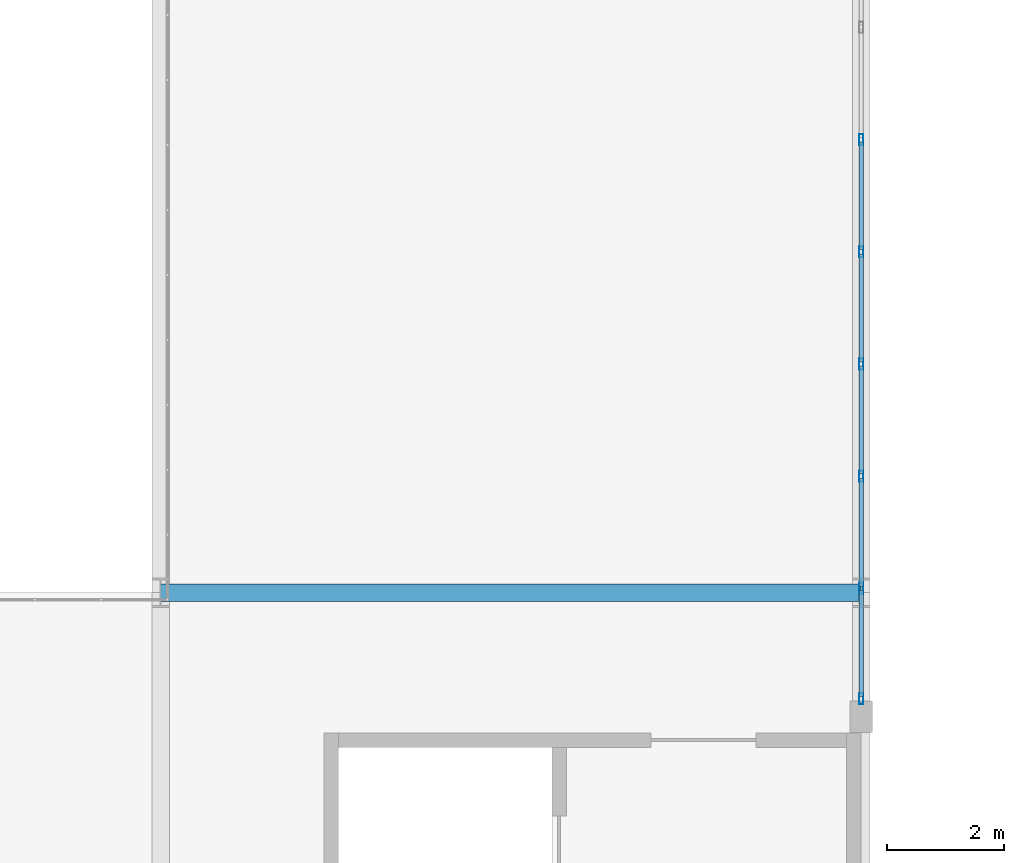
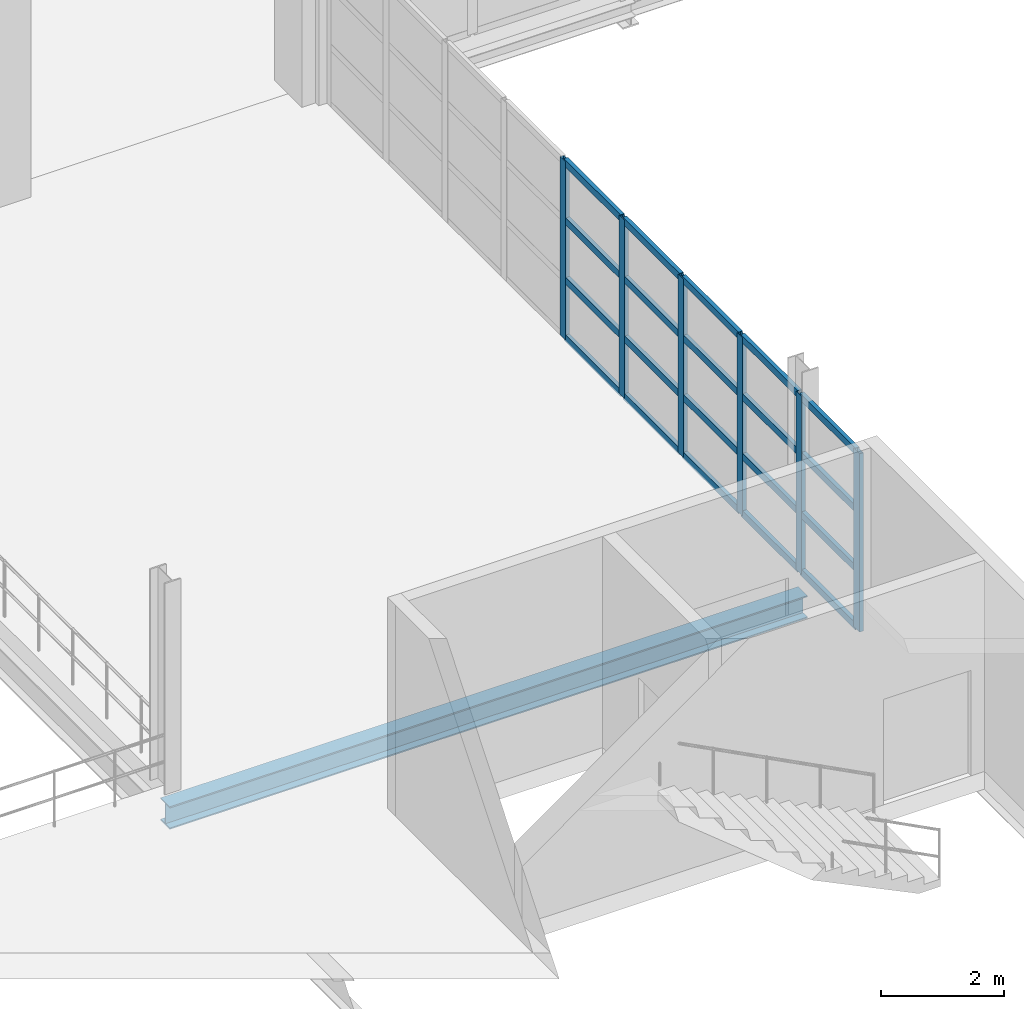
# One storey, part 56 of 158: 26 members, 1 beam, 1 element without a shape of its own.
"""IFC4 building model written with IfcOpenShell, lengths in metres."""

import ifcopenshell
import ifcopenshell.guid

model = None  # the IFC model being written
_history = None  # IfcOwnerHistory: only IFC2X3 demands one
_inside = {}  # id of a spatial element -> (the spatial element, [elements in it])
_under = {}  # id of a project, library or spatial element -> (it, [spatial elements below it])
_declared = {}  # id of a project -> (the project, [libraries it declares])
_typed = {}  # id of a type object -> (the type object, [elements of that type])
_made_of = {}  # id of a material, layer set ... -> (it, [elements and type objects made of it])


def new_model(schema):
    """Start an empty IFC model of exactly this schema.

    Asked for "IFC4X3", IfcOpenShell would pick the latest addendum, in which some entities
    have other attributes; the version numbers below select the first issue.
    IFC2X3 requires an IfcOwnerHistory on every rooted entity: one is made here for all.
    """
    global model, _history
    if schema == "IFC4X3":
        model = ifcopenshell.file(schema_version=(4, 3, 0, 0))
    else:
        model = ifcopenshell.file(schema=schema)
    _inside.clear()
    _under.clear()
    _declared.clear()
    _typed.clear()
    _made_of.clear()
    _history = None
    if model.schema == "IFC2X3":
        org = make("IfcOrganization", Name="unknown")
        user = make(
            "IfcPersonAndOrganization",
            ThePerson=make("IfcPerson", FamilyName="unknown"),
            TheOrganization=org,
        )
        app = make(
            "IfcApplication",
            ApplicationDeveloper=org,
            Version="unknown",
            ApplicationFullName="unknown",
            ApplicationIdentifier="unknown",
        )
        _history = make(
            "IfcOwnerHistory",
            OwningUser=user,
            OwningApplication=app,
            ChangeAction="ADDED",
            CreationDate=0,
        )
    return model


def make(cls, **values):
    """One entity of the class cls with the attributes given. An attribute that is None is left unset."""
    return model.create_entity(
        cls, **{name: value for name, value in values.items() if value is not None}
    )


def rooted(cls, **values):
    """An entity with a GlobalId (a new one), such as an element, a storey or a relation."""
    return make(cls, GlobalId=ifcopenshell.guid.new(), OwnerHistory=_history, **values)


def si_unit(unit_type, name, prefix=None):
    """IfcSIUnit, for example si_unit("LENGTHUNIT", "METRE", prefix="MILLI")."""
    return make("IfcSIUnit", UnitType=unit_type, Prefix=prefix, Name=name)


def assignment(units):
    """IfcUnitAssignment: the units of a project."""
    return None if units is None else make("IfcUnitAssignment", Units=units)


def point(xyz):
    """IfcCartesianPoint."""
    return None if xyz is None else make("IfcCartesianPoint", Coordinates=xyz)


def direction(xyz):
    """IfcDirection."""
    return None if xyz is None else make("IfcDirection", DirectionRatios=xyz)


def frame(location, z_axis=None, x_axis=None):
    """IfcAxis2Placement3D, a coordinate frame: its origin and axes. An axis left out is left unset."""
    return make(
        "IfcAxis2Placement3D",
        Location=point(location),
        Axis=direction(z_axis),
        RefDirection=direction(x_axis),
    )


def frame_2d(location, x_axis=None):
    """IfcAxis2Placement2D, a coordinate frame in the plane: its origin and x axis."""
    return make(
        "IfcAxis2Placement2D", Location=point(location), RefDirection=direction(x_axis)
    )


def origin():
    """The frame at (0, 0, 0) with its axes left unset."""
    return frame((0.0, 0.0, 0.0))


def origin_2d():
    """The frame at (0, 0) in the plane with its x axis left unset."""
    return frame_2d((0.0, 0.0))


def place(relative_to, where):
    """IfcLocalPlacement: puts the frame where relative to a parent placement (None: the world)."""
    return make(
        "IfcLocalPlacement", PlacementRelTo=relative_to, RelativePlacement=where
    )


def context(
    kind, dimensions, precision=None, world=None, true_north=None, identifier=None
):
    """IfcGeometricRepresentationContext, for example the 3D "Model" context."""
    return make(
        "IfcGeometricRepresentationContext",
        ContextIdentifier=identifier,
        ContextType=kind,
        CoordinateSpaceDimension=dimensions,
        Precision=precision,
        WorldCoordinateSystem=world,
        TrueNorth=true_north,
    )


def subcontext(parent, identifier, kind, view, scale=None):
    """IfcGeometricRepresentationSubContext, for example "Body" below "Model"."""
    return make(
        "IfcGeometricRepresentationSubContext",
        ContextIdentifier=identifier,
        ContextType=kind,
        ParentContext=parent,
        TargetScale=scale,
        TargetView=view,
    )


def project(units=None, contexts=None):
    """IfcProject with its units and contexts."""
    return rooted(
        "IfcProject",
        Name="project",
        RepresentationContexts=contexts,
        UnitsInContext=assignment(units),
    )


def spatial(cls, under=None, at=None, **own):
    """A site, building, storey or space (cls), placed at a placement, below another one or the project."""
    s = rooted(cls, ObjectPlacement=at, **own)
    if under is not None:
        _under.setdefault(under.id(), (under, []))[1].append(s)
    return s


def profile(cls, at=None, kind="AREA", **sizes):
    """A parametric profile (cls). Its sizes go by their IFC names, for example OverallWidth=200.0."""
    return make(cls, ProfileType=kind, Position=at, **sizes)


def hollow_rectangle(**sizes):
    """IfcRectangleHollowProfileDef."""
    return profile("IfcRectangleHollowProfileDef", **sizes)


def i_section(**sizes):
    """IfcIShapeProfileDef."""
    return profile("IfcIShapeProfileDef", **sizes)


def extrude(swept, where, along, depth):
    """IfcExtrudedAreaSolid: the profile swept, set in the frame where, extruded along a direction by depth."""
    return make(
        "IfcExtrudedAreaSolid",
        SweptArea=swept,
        Position=where,
        ExtrudedDirection=direction(along),
        Depth=depth,
    )


def shape(context_of_items, identifier, shape_type, items):
    """IfcShapeRepresentation: the items that make up one representation, for example the "Body"."""
    return make(
        "IfcShapeRepresentation",
        ContextOfItems=context_of_items,
        RepresentationIdentifier=identifier,
        RepresentationType=shape_type,
        Items=items,
    )


def material(Name=None, Category=None):
    """IfcMaterial."""
    return make("IfcMaterial", Name=Name, Category=Category)


def layer(
    of_material, thickness, ventilated=None, Name=None, Category=None, Priority=None
):
    """IfcMaterialLayer: one layer of a wall or slab, of a material (None: an air gap)."""
    return make(
        "IfcMaterialLayer",
        Material=of_material,
        LayerThickness=thickness,
        IsVentilated=ventilated,
        Name=Name,
        Category=Category,
        Priority=Priority,
    )


def layer_set(layers, Name=None):
    """IfcMaterialLayerSet."""
    return make("IfcMaterialLayerSet", MaterialLayers=layers, LayerSetName=Name)


def material_profile(
    of_material, cross_section, Name=None, Category=None, Priority=None
):
    """IfcMaterialProfile: a cross section and its material."""
    return make(
        "IfcMaterialProfile",
        Name=Name,
        Material=of_material,
        Profile=cross_section,
        Priority=Priority,
        Category=Category,
    )


def profile_set(profiles, Name=None, composite=None):
    """IfcMaterialProfileSet."""
    return make(
        "IfcMaterialProfileSet",
        Name=Name,
        MaterialProfiles=profiles,
        CompositeProfile=composite,
    )


def made_of(thing, what):
    """Note that an element or type object is made of a material, layer set ...; save() writes the relation."""
    if what is not None:
        _made_of.setdefault(what.id(), (what, []))[1].append(thing)
    return thing


def type_object(cls, material=None, **own):
    """A type object (cls), such as IfcWallType, which elements share."""
    return made_of(rooted(cls, **own), material)


def element(
    cls,
    number,
    at=None,
    inside=None,
    cuts=None,
    type_object=None,
    material=None,
    context=None,
    identifier="Body",
    shape_type=None,
    held_by="IfcProductDefinitionShape",
    body=None,
    shapes=None,
    **own,
):
    """One element of the class cls, such as IfcWall. Its Tag is "e" and its number.

    at: its placement. inside: the storey or other place that contains it. cuts: it is an
    opening in that element (IfcRelVoidsElement). A single representation is given by context,
    identifier, shape_type and body (its items); several are given by shapes. held_by: the class
    of the entity that holds the representations. save() writes the other relations.
    """
    e = rooted(cls, Tag="e%d" % number, ObjectPlacement=at, **own)
    if body is not None:
        shapes = [shape(context, identifier, shape_type, body)]
    if shapes is not None:
        e.Representation = make(held_by, Representations=shapes)
    if inside is not None:
        _inside.setdefault(inside.id(), (inside, []))[1].append(e)
    if cuts is not None:
        rooted(
            "IfcRelVoidsElement", RelatingBuildingElement=cuts, RelatedOpeningElement=e
        )
    if type_object is not None:
        _typed.setdefault(type_object.id(), (type_object, []))[1].append(e)
    return made_of(e, material)


def aggregate(whole, parts):
    """IfcRelAggregates: a whole, such as a stair, and the parts it consists of."""
    return rooted("IfcRelAggregates", RelatingObject=whole, RelatedObjects=parts)


def save(model, path):
    """Write the relations noted so far, then the file.

    IfcRelAggregates (storeys below a building ...), IfcRelContainedInSpatialStructure (elements
    in a storey), IfcRelDefinesByType, IfcRelAssociatesMaterial and IfcRelDeclares: one each for
    every whole, place, type object, material and project.
    """
    for whole, parts in _under.values():
        aggregate(whole, parts)
    for where, things in _inside.values():
        rooted(
            "IfcRelContainedInSpatialStructure",
            RelatedElements=things,
            RelatingStructure=where,
        )
    for kind, things in _typed.values():
        rooted("IfcRelDefinesByType", RelatedObjects=things, RelatingType=kind)
    for what, things in _made_of.values():
        rooted("IfcRelAssociatesMaterial", RelatedObjects=things, RelatingMaterial=what)
    for by, libraries in _declared.values():
        rooted("IfcRelDeclares", RelatingContext=by, RelatedDefinitions=libraries)
    model.write(path)


model = new_model("IFC4")

# Units and contexts
model_context = context("Model", 3, precision=1e-05, world=origin(), true_north=direction((0.0, 1.0)))
body_context = subcontext(model_context, "Body", "Model", "MODEL_VIEW")
ifc_project = project(units=[si_unit("LENGTHUNIT", "METRE"), si_unit("AREAUNIT", "SQUARE_METRE"), si_unit("VOLUMEUNIT", "CUBIC_METRE"), si_unit("PLANEANGLEUNIT", "RADIAN"), si_unit("MASSUNIT", "GRAM", prefix="KILO")], contexts=[model_context])

# Site, building, storey
site_placement = place(None, origin())
site = spatial("IfcSite", under=ifc_project, at=site_placement, CompositionType="ELEMENT")
building_placement = place(site_placement, origin())
building = spatial("IfcBuilding", under=site, at=building_placement, Name="Zilviju Railside Exhibition Hall", CompositionType="ELEMENT")
storey_placement = place(building_placement, frame((0.0, 0.0, 4.199951171875)))
storey = spatial("IfcBuildingStorey", under=building, at=storey_placement, Name="L02", CompositionType="ELEMENT", Elevation=4.199951171875)

# Beam
ifc_material_1 = material(Name="Steel S355J2", Category="steel")
ifc_material_profile_1 = material_profile(ifc_material_1, i_section(OverallWidth=0.300048828125, OverallDepth=0.449951171875, WebThickness=0.013916015625, FlangeThickness=0.02587890625, at=origin_2d()), Name="HEB 450")
ifc_profile_set_1 = profile_set([ifc_material_profile_1], Name="Steel S355J2")
beam_type = type_object("IfcBeamType", Name="BM-HEB450", PredefinedType="BEAM", material=ifc_profile_set_1)
beam_placement = place(storey_placement, frame((90.0, 68.0, -0.574951171875), z_axis=(1.0, 0.0, 0.0), x_axis=(0.0, 1.0, 0.0)))
element("IfcBeam", 1, at=beam_placement, inside=storey, type_object=beam_type, Name="Primary Girder L02 Y=68.0 (90.0..102.0)", PredefinedType="BEAM", context=body_context, shape_type="SweptSolid", body=[
    extrude(i_section(OverallWidth=0.300048828125, OverallDepth=0.449951171875, WebThickness=0.013916015625, FlangeThickness=0.02587890625, at=origin_2d()), origin(), (0.0, 0.0, 1.0), 12.0),
])

# Curtain wall, members
ifc_material_2 = material(Name="Thermally broken aluminium-steel triple-glazed curtain wall", Category="steel")
ifc_layer = layer(ifc_material_2, 0.179931640625)
ifc_layer_set = layer_set([ifc_layer], Name="Thermally broken aluminium-steel triple-glazed curtain wall")
curtain_wall_type = type_object("IfcCurtainWallType", Name="CW-BAY-15", PredefinedType="USERDEFINED", material=ifc_layer_set)
curtain_wall_placement = place(storey_placement, origin())
curtain_wall = element("IfcCurtainWall", 2, at=curtain_wall_placement, inside=storey, type_object=curtain_wall_type, Name="Water Court Pavilion Curtain Wall L02", ObjectType="GLAZED CURTAIN WALL", PredefinedType="USERDEFINED")
ifc_material_3 = material(Name="Thermally broken anodized aluminium mullion", Category="aluminium")
ifc_material_profile_2 = material_profile(ifc_material_3, hollow_rectangle(XDim=0.074951171875, YDim=0.18994140625, WallThickness=0.0048828125, at=origin_2d()), Name="MULLION 190x75x5")
ifc_profile_set_2 = profile_set([ifc_material_profile_2], Name="Thermally broken anodized aluminium mullion")
member_type_1 = type_object("IfcMemberType", Name="CWM-75x190", PredefinedType="MULLION", material=ifc_profile_set_2)
member_1_placement = place(storey_placement, frame((102.0, 75.76123046875, 0.0), z_axis=(0.0, 0.0, 1.0), x_axis=(1.0, 0.0, 0.0)))
member_1 = element("IfcMember", 3, at=member_1_placement, type_object=member_type_1, Name="CW-15 mullion 5", PredefinedType="MULLION", context=body_context, shape_type="SweptSolid", body=[
    extrude(hollow_rectangle(XDim=0.074951171875, YDim=0.18994140625, WallThickness=0.0048828125, at=origin_2d()), origin(), (0.0, 0.0, 1.0), 3.550048828125),
])
member_2_placement = place(storey_placement, frame((102.0, 73.8388671875, 0.0), z_axis=(0.0, 0.0, 1.0), x_axis=(1.0, 0.0, 0.0)))
member_2 = element("IfcMember", 4, at=member_2_placement, type_object=member_type_1, Name="CW-15 mullion 6", PredefinedType="MULLION", context=body_context, shape_type="SweptSolid", body=[
    extrude(hollow_rectangle(XDim=0.074951171875, YDim=0.18994140625, WallThickness=0.0048828125, at=origin_2d()), origin(), (0.0, 0.0, 1.0), 3.550048828125),
])
member_3_placement = place(storey_placement, frame((102.0, 71.916748046875, 0.0), z_axis=(0.0, 0.0, 1.0), x_axis=(1.0, 0.0, 0.0)))
member_3 = element("IfcMember", 5, at=member_3_placement, type_object=member_type_1, Name="CW-15 mullion 7", PredefinedType="MULLION", context=body_context, shape_type="SweptSolid", body=[
    extrude(hollow_rectangle(XDim=0.074951171875, YDim=0.18994140625, WallThickness=0.0048828125, at=origin_2d()), origin(), (0.0, 0.0, 1.0), 3.550048828125),
])
member_4_placement = place(storey_placement, frame((102.0, 69.994384765625, 0.0), z_axis=(0.0, 0.0, 1.0), x_axis=(1.0, 0.0, 0.0)))
member_4 = element("IfcMember", 6, at=member_4_placement, type_object=member_type_1, Name="CW-15 mullion 8", PredefinedType="MULLION", context=body_context, shape_type="SweptSolid", body=[
    extrude(hollow_rectangle(XDim=0.074951171875, YDim=0.18994140625, WallThickness=0.0048828125, at=origin_2d()), origin(), (0.0, 0.0, 1.0), 3.550048828125),
])
member_5_placement = place(storey_placement, frame((102.0, 68.072265625, 0.0), z_axis=(0.0, 0.0, 1.0), x_axis=(1.0, 0.0, 0.0)))
member_5 = element("IfcMember", 7, at=member_5_placement, type_object=member_type_1, Name="CW-15 mullion 9", PredefinedType="MULLION", context=body_context, shape_type="SweptSolid", body=[
    extrude(hollow_rectangle(XDim=0.074951171875, YDim=0.18994140625, WallThickness=0.0048828125, at=origin_2d()), origin(), (0.0, 0.0, 1.0), 3.550048828125),
])
member_6_placement = place(storey_placement, frame((102.0, 66.1875, 0.0), z_axis=(0.0, 0.0, 1.0), x_axis=(1.0, 0.0, 0.0)))
member_6 = element("IfcMember", 8, at=member_6_placement, type_object=member_type_1, Name="CW-15 mullion 10", PredefinedType="MULLION", context=body_context, shape_type="SweptSolid", body=[
    extrude(hollow_rectangle(XDim=0.074951171875, YDim=0.18994140625, WallThickness=0.0048828125, at=origin_2d()), origin(), (0.0, 0.0, 1.0), 3.550048828125),
])
ifc_material_4 = material(Name="Thermally broken anodized aluminium transom", Category="aluminium")
ifc_material_profile_3 = material_profile(ifc_material_4, hollow_rectangle(XDim=0.074951171875, YDim=0.139892578125, WallThickness=0.0048828125, at=origin_2d()), Name="TRANSOM 140x75x5")
ifc_profile_set_3 = profile_set([ifc_material_profile_3], Name="Thermally broken anodized aluminium transom")
member_type_2 = type_object("IfcMemberType", Name="CWT-75x140", PredefinedType="USERDEFINED", material=ifc_profile_set_3)
member_7_placement = place(storey_placement, frame((102.0, 75.7236328125, 0.03759765625), z_axis=(0.0, -1.0, 0.0), x_axis=(1.0, 0.0, 0.0)))
member_7 = element("IfcMember", 9, at=member_7_placement, type_object=member_type_2, Name="CW-15 transom 5.1", ObjectType="TRANSOM", PredefinedType="USERDEFINED", context=body_context, shape_type="SweptSolid", body=[
    extrude(hollow_rectangle(XDim=0.074951171875, YDim=0.139892578125, WallThickness=0.0048828125, at=origin_2d()), origin(), (0.0, 0.0, 1.0), 1.84716796875),
])
member_8_placement = place(storey_placement, frame((102.0, 75.7236328125, 1.18310546875), z_axis=(0.0, -1.0, 0.0), x_axis=(1.0, 0.0, 0.0)))
member_8 = element("IfcMember", 10, at=member_8_placement, type_object=member_type_2, Name="CW-15 transom 5.2", ObjectType="TRANSOM", PredefinedType="USERDEFINED", context=body_context, shape_type="SweptSolid", body=[
    extrude(hollow_rectangle(XDim=0.074951171875, YDim=0.139892578125, WallThickness=0.0048828125, at=origin_2d()), origin(), (0.0, 0.0, 1.0), 1.84716796875),
])
member_9_placement = place(storey_placement, frame((102.0, 75.7236328125, 2.366943359375), z_axis=(0.0, -1.0, 0.0), x_axis=(1.0, 0.0, 0.0)))
member_9 = element("IfcMember", 11, at=member_9_placement, type_object=member_type_2, Name="CW-15 transom 5.3", ObjectType="TRANSOM", PredefinedType="USERDEFINED", context=body_context, shape_type="SweptSolid", body=[
    extrude(hollow_rectangle(XDim=0.074951171875, YDim=0.139892578125, WallThickness=0.0048828125, at=origin_2d()), origin(), (0.0, 0.0, 1.0), 1.84716796875),
])
member_10_placement = place(storey_placement, frame((102.0, 75.7236328125, 3.512451171875), z_axis=(0.0, -1.0, 0.0), x_axis=(1.0, 0.0, 0.0)))
member_10 = element("IfcMember", 12, at=member_10_placement, type_object=member_type_2, Name="CW-15 transom 5.4", ObjectType="TRANSOM", PredefinedType="USERDEFINED", context=body_context, shape_type="SweptSolid", body=[
    extrude(hollow_rectangle(XDim=0.074951171875, YDim=0.139892578125, WallThickness=0.0048828125, at=origin_2d()), origin(), (0.0, 0.0, 1.0), 1.84716796875),
])
member_11_placement = place(storey_placement, frame((102.0, 73.80126953125, 0.03759765625), z_axis=(0.0, -1.0, 0.0), x_axis=(1.0, 0.0, 0.0)))
member_11 = element("IfcMember", 13, at=member_11_placement, type_object=member_type_2, Name="CW-15 transom 6.1", ObjectType="TRANSOM", PredefinedType="USERDEFINED", context=body_context, shape_type="SweptSolid", body=[
    extrude(hollow_rectangle(XDim=0.074951171875, YDim=0.139892578125, WallThickness=0.0048828125, at=origin_2d()), origin(), (0.0, 0.0, 1.0), 1.84716796875),
])
member_12_placement = place(storey_placement, frame((102.0, 73.80126953125, 1.18310546875), z_axis=(0.0, -1.0, 0.0), x_axis=(1.0, 0.0, 0.0)))
member_12 = element("IfcMember", 14, at=member_12_placement, type_object=member_type_2, Name="CW-15 transom 6.2", ObjectType="TRANSOM", PredefinedType="USERDEFINED", context=body_context, shape_type="SweptSolid", body=[
    extrude(hollow_rectangle(XDim=0.074951171875, YDim=0.139892578125, WallThickness=0.0048828125, at=origin_2d()), origin(), (0.0, 0.0, 1.0), 1.84716796875),
])
member_13_placement = place(storey_placement, frame((102.0, 73.80126953125, 2.366943359375), z_axis=(0.0, -1.0, 0.0), x_axis=(1.0, 0.0, 0.0)))
member_13 = element("IfcMember", 15, at=member_13_placement, type_object=member_type_2, Name="CW-15 transom 6.3", ObjectType="TRANSOM", PredefinedType="USERDEFINED", context=body_context, shape_type="SweptSolid", body=[
    extrude(hollow_rectangle(XDim=0.074951171875, YDim=0.139892578125, WallThickness=0.0048828125, at=origin_2d()), origin(), (0.0, 0.0, 1.0), 1.84716796875),
])
member_14_placement = place(storey_placement, frame((102.0, 73.80126953125, 3.512451171875), z_axis=(0.0, -1.0, 0.0), x_axis=(1.0, 0.0, 0.0)))
member_14 = element("IfcMember", 16, at=member_14_placement, type_object=member_type_2, Name="CW-15 transom 6.4", ObjectType="TRANSOM", PredefinedType="USERDEFINED", context=body_context, shape_type="SweptSolid", body=[
    extrude(hollow_rectangle(XDim=0.074951171875, YDim=0.139892578125, WallThickness=0.0048828125, at=origin_2d()), origin(), (0.0, 0.0, 1.0), 1.84716796875),
])
member_15_placement = place(storey_placement, frame((102.0, 71.879150390625, 0.03759765625), z_axis=(0.0, -1.0, 0.0), x_axis=(1.0, 0.0, 0.0)))
member_15 = element("IfcMember", 17, at=member_15_placement, type_object=member_type_2, Name="CW-15 transom 7.1", ObjectType="TRANSOM", PredefinedType="USERDEFINED", context=body_context, shape_type="SweptSolid", body=[
    extrude(hollow_rectangle(XDim=0.074951171875, YDim=0.139892578125, WallThickness=0.0048828125, at=origin_2d()), origin(), (0.0, 0.0, 1.0), 1.84716796875),
])
member_16_placement = place(storey_placement, frame((102.0, 71.879150390625, 1.18310546875), z_axis=(0.0, -1.0, 0.0), x_axis=(1.0, 0.0, 0.0)))
member_16 = element("IfcMember", 18, at=member_16_placement, type_object=member_type_2, Name="CW-15 transom 7.2", ObjectType="TRANSOM", PredefinedType="USERDEFINED", context=body_context, shape_type="SweptSolid", body=[
    extrude(hollow_rectangle(XDim=0.074951171875, YDim=0.139892578125, WallThickness=0.0048828125, at=origin_2d()), origin(), (0.0, 0.0, 1.0), 1.84716796875),
])
member_17_placement = place(storey_placement, frame((102.0, 71.879150390625, 2.366943359375), z_axis=(0.0, -1.0, 0.0), x_axis=(1.0, 0.0, 0.0)))
member_17 = element("IfcMember", 19, at=member_17_placement, type_object=member_type_2, Name="CW-15 transom 7.3", ObjectType="TRANSOM", PredefinedType="USERDEFINED", context=body_context, shape_type="SweptSolid", body=[
    extrude(hollow_rectangle(XDim=0.074951171875, YDim=0.139892578125, WallThickness=0.0048828125, at=origin_2d()), origin(), (0.0, 0.0, 1.0), 1.84716796875),
])
member_18_placement = place(storey_placement, frame((102.0, 71.879150390625, 3.512451171875), z_axis=(0.0, -1.0, 0.0), x_axis=(1.0, 0.0, 0.0)))
member_18 = element("IfcMember", 20, at=member_18_placement, type_object=member_type_2, Name="CW-15 transom 7.4", ObjectType="TRANSOM", PredefinedType="USERDEFINED", context=body_context, shape_type="SweptSolid", body=[
    extrude(hollow_rectangle(XDim=0.074951171875, YDim=0.139892578125, WallThickness=0.0048828125, at=origin_2d()), origin(), (0.0, 0.0, 1.0), 1.84716796875),
])
member_19_placement = place(storey_placement, frame((102.0, 69.95703125, 0.03759765625), z_axis=(0.0, -1.0, 0.0), x_axis=(1.0, 0.0, 0.0)))
member_19 = element("IfcMember", 21, at=member_19_placement, type_object=member_type_2, Name="CW-15 transom 8.1", ObjectType="TRANSOM", PredefinedType="USERDEFINED", context=body_context, shape_type="SweptSolid", body=[
    extrude(hollow_rectangle(XDim=0.074951171875, YDim=0.139892578125, WallThickness=0.0048828125, at=origin_2d()), origin(), (0.0, 0.0, 1.0), 1.847412109375),
])
member_20_placement = place(storey_placement, frame((102.0, 69.95703125, 1.18310546875), z_axis=(0.0, -1.0, 0.0), x_axis=(1.0, 0.0, 0.0)))
member_20 = element("IfcMember", 22, at=member_20_placement, type_object=member_type_2, Name="CW-15 transom 8.2", ObjectType="TRANSOM", PredefinedType="USERDEFINED", context=body_context, shape_type="SweptSolid", body=[
    extrude(hollow_rectangle(XDim=0.074951171875, YDim=0.139892578125, WallThickness=0.0048828125, at=origin_2d()), origin(), (0.0, 0.0, 1.0), 1.847412109375),
])
member_21_placement = place(storey_placement, frame((102.0, 69.95703125, 2.366943359375), z_axis=(0.0, -1.0, 0.0), x_axis=(1.0, 0.0, 0.0)))
member_21 = element("IfcMember", 23, at=member_21_placement, type_object=member_type_2, Name="CW-15 transom 8.3", ObjectType="TRANSOM", PredefinedType="USERDEFINED", context=body_context, shape_type="SweptSolid", body=[
    extrude(hollow_rectangle(XDim=0.074951171875, YDim=0.139892578125, WallThickness=0.0048828125, at=origin_2d()), origin(), (0.0, 0.0, 1.0), 1.847412109375),
])
member_22_placement = place(storey_placement, frame((102.0, 69.95703125, 3.512451171875), z_axis=(0.0, -1.0, 0.0), x_axis=(1.0, 0.0, 0.0)))
member_22 = element("IfcMember", 24, at=member_22_placement, type_object=member_type_2, Name="CW-15 transom 8.4", ObjectType="TRANSOM", PredefinedType="USERDEFINED", context=body_context, shape_type="SweptSolid", body=[
    extrude(hollow_rectangle(XDim=0.074951171875, YDim=0.139892578125, WallThickness=0.0048828125, at=origin_2d()), origin(), (0.0, 0.0, 1.0), 1.847412109375),
])
member_23_placement = place(storey_placement, frame((102.0, 68.03466796875, 0.03759765625), z_axis=(0.0, -1.0, 0.0), x_axis=(1.0, 0.0, 0.0)))
member_23 = element("IfcMember", 25, at=member_23_placement, type_object=member_type_2, Name="CW-15 transom 9.1", ObjectType="TRANSOM", PredefinedType="USERDEFINED", context=body_context, shape_type="SweptSolid", body=[
    extrude(hollow_rectangle(XDim=0.074951171875, YDim=0.139892578125, WallThickness=0.0048828125, at=origin_2d()), origin(), (0.0, 0.0, 1.0), 1.8095703125),
])
member_24_placement = place(storey_placement, frame((102.0, 68.03466796875, 1.18310546875), z_axis=(0.0, -1.0, 0.0), x_axis=(1.0, 0.0, 0.0)))
member_24 = element("IfcMember", 26, at=member_24_placement, type_object=member_type_2, Name="CW-15 transom 9.2", ObjectType="TRANSOM", PredefinedType="USERDEFINED", context=body_context, shape_type="SweptSolid", body=[
    extrude(hollow_rectangle(XDim=0.074951171875, YDim=0.139892578125, WallThickness=0.0048828125, at=origin_2d()), origin(), (0.0, 0.0, 1.0), 1.8095703125),
])
member_25_placement = place(storey_placement, frame((102.0, 68.03466796875, 2.366943359375), z_axis=(0.0, -1.0, 0.0), x_axis=(1.0, 0.0, 0.0)))
member_25 = element("IfcMember", 27, at=member_25_placement, type_object=member_type_2, Name="CW-15 transom 9.3", ObjectType="TRANSOM", PredefinedType="USERDEFINED", context=body_context, shape_type="SweptSolid", body=[
    extrude(hollow_rectangle(XDim=0.074951171875, YDim=0.139892578125, WallThickness=0.0048828125, at=origin_2d()), origin(), (0.0, 0.0, 1.0), 1.8095703125),
])
member_26_placement = place(storey_placement, frame((102.0, 68.03466796875, 3.512451171875), z_axis=(0.0, -1.0, 0.0), x_axis=(1.0, 0.0, 0.0)))
member_26 = element("IfcMember", 28, at=member_26_placement, type_object=member_type_2, Name="CW-15 transom 9.4", ObjectType="TRANSOM", PredefinedType="USERDEFINED", context=body_context, shape_type="SweptSolid", body=[
    extrude(hollow_rectangle(XDim=0.074951171875, YDim=0.139892578125, WallThickness=0.0048828125, at=origin_2d()), origin(), (0.0, 0.0, 1.0), 1.8095703125),
])
aggregate(curtain_wall, [member_1, member_2, member_3, member_4, member_5, member_6, member_7, member_8, member_9, member_10, member_11, member_12, member_13, member_14, member_15, member_16, member_17, member_18, member_19, member_20, member_21, member_22, member_23, member_24, member_25, member_26])

save(model, "model.ifc")
